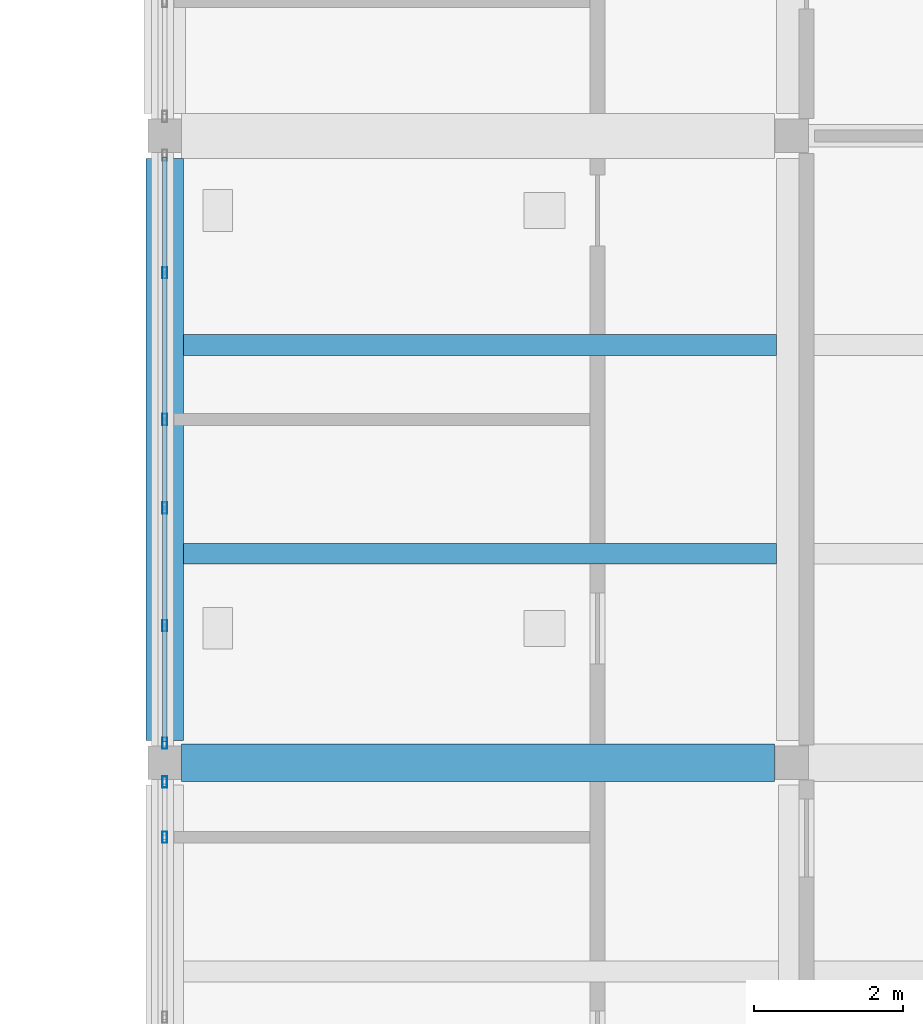
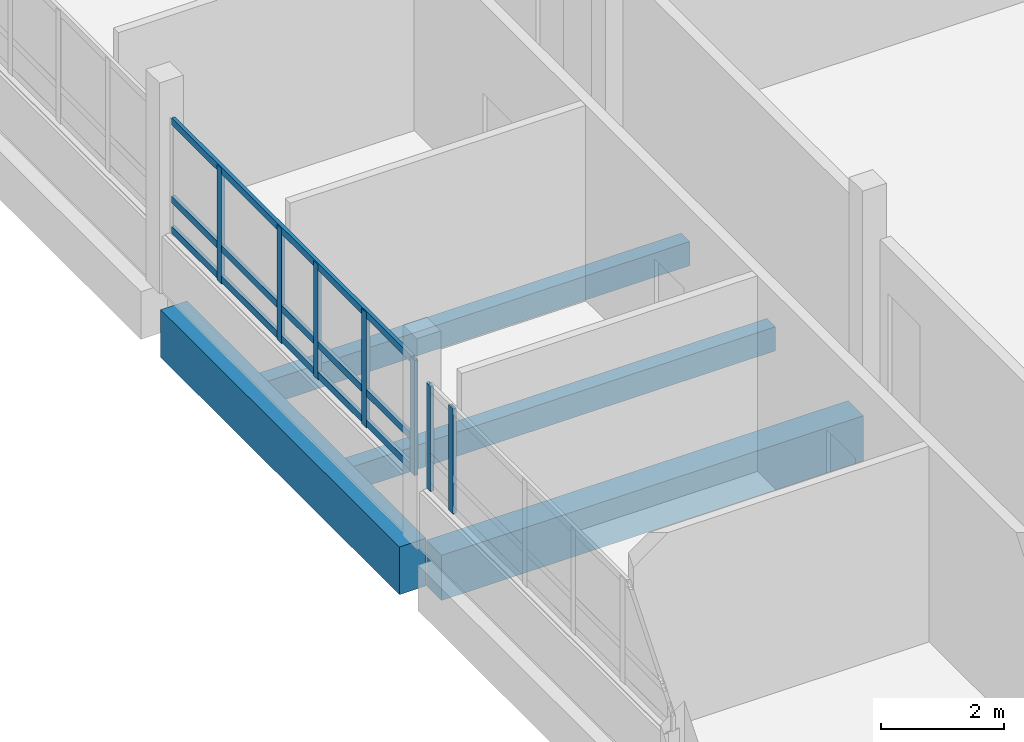
# One storey, part 15 of 62: 10 members, 4 beams, 2 elements without a shape of their own.
"""IFC4 building model written with IfcOpenShell, lengths in metres."""

from ifc_helpers import new_model, si_unit, direction, frame, origin, origin_2d, place, context, subcontext, project, spatial, rectangle, hollow_rectangle, extrude, material, layer, layer_set, material_profile, profile_set, type_object, element, aggregate, save


model = new_model("IFC4")

# Units and contexts
model_context = context("Model", 3, precision=1e-05, world=origin(), true_north=direction((0.0, 1.0)))
body_context = subcontext(model_context, "Body", "Model", "MODEL_VIEW")
ifc_project = project(units=[si_unit("LENGTHUNIT", "METRE"), si_unit("AREAUNIT", "SQUARE_METRE"), si_unit("VOLUMEUNIT", "CUBIC_METRE"), si_unit("PLANEANGLEUNIT", "RADIAN"), si_unit("MASSUNIT", "GRAM", prefix="KILO")], contexts=[model_context])

# Site, building, storey
site_placement = place(None, origin())
site = spatial("IfcSite", under=ifc_project, at=site_placement, CompositionType="ELEMENT")
building_placement = place(site_placement, origin())
building = spatial("IfcBuilding", under=site, at=building_placement, Name="Vireocrest Preparatory School", CompositionType="ELEMENT")
storey_placement = place(building_placement, frame((0.0, 0.0, 17.39990234375)))
storey = spatial("IfcBuildingStorey", under=building, at=storey_placement, Name="L04", CompositionType="ELEMENT", Elevation=17.39990234375)

# Curtain wall, members
ifc_material_1 = material(Name="Thermally broken aluminium EN AW-6063-T6", Category="aluminium")
ifc_layer = layer(ifc_material_1, 0.179931640625)
ifc_layer_set = layer_set([ifc_layer], Name="Thermally broken aluminium EN AW-6063-T6")
curtain_wall_type = type_object("IfcCurtainWallType", Name="Court Banded Curtain Wall 8400x3000", PredefinedType="USERDEFINED", material=ifc_layer_set)
curtain_wall_1_placement = place(storey_placement, origin())
curtain_wall_1 = element("IfcCurtainWall", 1, at=curtain_wall_1_placement, inside=storey, type_object=curtain_wall_type, Name="Curtain Wall CW02 CW_L04_CW02_0924_0524_186", ObjectType="CURTAIN WALL", PredefinedType="USERDEFINED")
ifc_material_profile_1 = material_profile(ifc_material_1, hollow_rectangle(XDim=0.06494140625, YDim=0.14990234375, WallThickness=0.00390625, at=origin_2d()), Name="ALU 65x150x4")
ifc_profile_set_1 = profile_set([ifc_material_profile_1], Name="Thermally broken aluminium EN AW-6063-T6")
member_type_1 = type_object("IfcMemberType", Name="CW Mullion 65x150x4", PredefinedType="MULLION", material=ifc_profile_set_1)
member_1_placement = place(storey_placement, frame((92.39990234375, 59.60009765625, 1.150146484375), z_axis=(0.0, 0.0, 1.0), x_axis=(1.0, 0.0, 0.0)))
member_1 = element("IfcMember", 2, at=member_1_placement, type_object=member_type_1, Name="CW Mullion ML1 CW_L04_CW02_0924_0524_186-5", PredefinedType="MULLION", context=body_context, shape_type="SweptSolid", body=[
    extrude(hollow_rectangle(XDim=0.06494140625, YDim=0.14990234375, WallThickness=0.00390625, at=origin_2d()), origin(), (0.0, 0.0, 1.0), 2.094970703125),
])
member_2_placement = place(storey_placement, frame((92.39990234375, 60.340087890625, 1.150146484375), z_axis=(0.0, 0.0, 1.0), x_axis=(1.0, 0.0, 0.0)))
member_2 = element("IfcMember", 3, at=member_2_placement, type_object=member_type_1, Name="CW Mullion ML1 CW_L04_CW02_0924_0524_186-6", PredefinedType="MULLION", context=body_context, shape_type="SweptSolid", body=[
    extrude(hollow_rectangle(XDim=0.06494140625, YDim=0.14990234375, WallThickness=0.00390625, at=origin_2d()), origin(), (0.0, 0.0, 1.0), 2.094970703125),
])
aggregate(curtain_wall_1, [member_1, member_2])

curtain_wall_2_placement = place(storey_placement, origin())
curtain_wall_2 = element("IfcCurtainWall", 4, at=curtain_wall_2_placement, inside=storey, type_object=curtain_wall_type, Name="Curtain Wall CW02 CW_L04_CW02_0924_0608_186", ObjectType="CURTAIN WALL", PredefinedType="USERDEFINED")
member_3_placement = place(storey_placement, frame((92.39990234375, 60.860107421875, 1.150146484375), z_axis=(0.0, 0.0, 1.0), x_axis=(1.0, 0.0, 0.0)))
member_3 = element("IfcMember", 5, at=member_3_placement, type_object=member_type_1, Name="CW Mullion ML1 CW_L04_CW02_0924_0608_186-1", PredefinedType="MULLION", context=body_context, shape_type="SweptSolid", body=[
    extrude(hollow_rectangle(XDim=0.06494140625, YDim=0.14990234375, WallThickness=0.00390625, at=origin_2d()), origin(), (0.0, 0.0, 1.0), 2.294921875),
])
member_4_placement = place(storey_placement, frame((92.39990234375, 62.43603515625, 1.150146484375), z_axis=(0.0, 0.0, 1.0), x_axis=(1.0, 0.0, 0.0)))
member_4 = element("IfcMember", 6, at=member_4_placement, type_object=member_type_1, Name="CW Mullion ML1 CW_L04_CW02_0924_0608_186-2", PredefinedType="MULLION", context=body_context, shape_type="SweptSolid", body=[
    extrude(hollow_rectangle(XDim=0.06494140625, YDim=0.14990234375, WallThickness=0.00390625, at=origin_2d()), origin(), (0.0, 0.0, 1.0), 2.294921875),
])
member_5_placement = place(storey_placement, frame((92.39990234375, 64.011962890625, 1.150146484375), z_axis=(0.0, 0.0, 1.0), x_axis=(1.0, 0.0, 0.0)))
member_5 = element("IfcMember", 7, at=member_5_placement, type_object=member_type_1, Name="CW Mullion ML1 CW_L04_CW02_0924_0608_186-3", PredefinedType="MULLION", context=body_context, shape_type="SweptSolid", body=[
    extrude(hollow_rectangle(XDim=0.06494140625, YDim=0.14990234375, WallThickness=0.00390625, at=origin_2d()), origin(), (0.0, 0.0, 1.0), 2.294921875),
])
member_6_placement = place(storey_placement, frame((92.39990234375, 65.199951171875, 1.150146484375), z_axis=(0.0, 0.0, 1.0), x_axis=(1.0, 0.0, 0.0)))
member_6 = element("IfcMember", 8, at=member_6_placement, type_object=member_type_1, Name="CW Mullion ML1 CW_L04_CW02_0924_0608_186-4", PredefinedType="MULLION", context=body_context, shape_type="SweptSolid", body=[
    extrude(hollow_rectangle(XDim=0.06494140625, YDim=0.14990234375, WallThickness=0.00390625, at=origin_2d()), origin(), (0.0, 0.0, 1.0), 2.294921875),
])
member_7_placement = place(storey_placement, frame((92.39990234375, 67.1640625, 1.150146484375), z_axis=(0.0, 0.0, 1.0), x_axis=(1.0, 0.0, 0.0)))
member_7 = element("IfcMember", 9, at=member_7_placement, type_object=member_type_1, Name="CW Mullion ML1 CW_L04_CW02_0924_0608_186-5", PredefinedType="MULLION", context=body_context, shape_type="SweptSolid", body=[
    extrude(hollow_rectangle(XDim=0.06494140625, YDim=0.14990234375, WallThickness=0.00390625, at=origin_2d()), origin(), (0.0, 0.0, 1.0), 2.294921875),
])
ifc_material_profile_2 = material_profile(ifc_material_1, hollow_rectangle(XDim=0.06494140625, YDim=0.139892578125, WallThickness=0.00390625, at=origin_2d()), Name="ALU 65x140x4")
ifc_profile_set_2 = profile_set([ifc_material_profile_2], Name="Thermally broken aluminium EN AW-6063-T6")
member_type_2 = type_object("IfcMemberType", Name="CW Transom 65x140x4", PredefinedType="USERDEFINED", material=ifc_profile_set_2)
member_8_placement = place(storey_placement, frame((92.39990234375, 60.885009765625, 1.2451171875), z_axis=(0.0, 1.0, 0.0), x_axis=(-1.0, 0.0, 0.0)))
member_8 = element("IfcMember", 10, at=member_8_placement, type_object=member_type_2, Name="CW Transom TR1 CW_L04_CW02_0924_0608_186-1", ObjectType="TRANSOM", PredefinedType="USERDEFINED", context=body_context, shape_type="SweptSolid", body=[
    extrude(hollow_rectangle(XDim=0.06494140625, YDim=0.139892578125, WallThickness=0.00390625, at=origin_2d()), origin(), (0.0, 0.0, 1.0), 7.830078125),
])
member_9_placement = place(storey_placement, frame((92.39990234375, 60.885009765625, 1.85009765625), z_axis=(0.0, 1.0, 0.0), x_axis=(-1.0, 0.0, 0.0)))
member_9 = element("IfcMember", 11, at=member_9_placement, type_object=member_type_2, Name="CW Transom TR1 CW_L04_CW02_0924_0608_186-2", ObjectType="TRANSOM", PredefinedType="USERDEFINED", context=body_context, shape_type="SweptSolid", body=[
    extrude(hollow_rectangle(XDim=0.06494140625, YDim=0.139892578125, WallThickness=0.00390625, at=origin_2d()), origin(), (0.0, 0.0, 1.0), 7.830078125),
])
member_10_placement = place(storey_placement, frame((92.39990234375, 60.885009765625, 3.405029296875), z_axis=(0.0, 1.0, 0.0), x_axis=(-1.0, 0.0, 0.0)))
member_10 = element("IfcMember", 12, at=member_10_placement, type_object=member_type_2, Name="CW Transom TR1 CW_L04_CW02_0924_0608_186-3", ObjectType="TRANSOM", PredefinedType="USERDEFINED", context=body_context, shape_type="SweptSolid", body=[
    extrude(hollow_rectangle(XDim=0.06494140625, YDim=0.139892578125, WallThickness=0.00390625, at=origin_2d()), origin(), (0.0, 0.0, 1.0), 7.830078125),
])
aggregate(curtain_wall_2, [member_3, member_4, member_5, member_6, member_7, member_8, member_9, member_10])

# Beams
ifc_material_2 = material(Name="Concrete 40 MPa", Category="concrete")
ifc_material_profile_3 = material_profile(ifc_material_2, rectangle(XDim=0.5, YDim=0.949951171875, at=origin_2d()), Name="RC 500x950")
ifc_profile_set_3 = profile_set([ifc_material_profile_3], Name="Concrete 40 MPa")
beam_type_1 = type_object("IfcBeamType", Name="RC Basement Ceiling Girder 500x950", PredefinedType="BEAM", material=ifc_profile_set_3)
beam_1_placement = place(storey_placement, frame((92.39990234375, 60.89990234375, -0.73486328125), z_axis=(0.0, 1.0, 0.0), x_axis=(-1.0, 0.0, 0.0)))
element("IfcBeam", 13, at=beam_1_placement, inside=storey, type_object=beam_type_1, Name="Primary Girder B16 L04-1395", PredefinedType="BEAM", context=body_context, shape_type="SweptSolid", body=[
    extrude(rectangle(XDim=0.5, YDim=0.949951171875, at=origin_2d()), origin(), (0.0, 0.0, 1.0), 7.800048828125),
])
ifc_material_profile_4 = material_profile(ifc_material_2, rectangle(XDim=0.5, YDim=0.89990234375, at=origin_2d()), Name="RC 500x900")
ifc_profile_set_4 = profile_set([ifc_material_profile_4], Name="Concrete 40 MPa")
beam_type_2 = type_object("IfcBeamType", Name="RC Podium Girder 500x900", PredefinedType="BEAM", material=ifc_profile_set_4)
beam_2_placement = place(storey_placement, frame((92.625, 60.60009765625, -0.7099609375), z_axis=(1.0, 0.0, 0.0), x_axis=(0.0, 1.0, 0.0)))
element("IfcBeam", 14, at=beam_2_placement, inside=storey, type_object=beam_type_2, Name="Primary Girder B15 L04-1309", PredefinedType="BEAM", context=body_context, shape_type="SweptSolid", body=[
    extrude(rectangle(XDim=0.5, YDim=0.89990234375, at=origin_2d()), origin(), (0.0, 0.0, 1.0), 7.949951171875),
])
ifc_material_profile_5 = material_profile(ifc_material_2, rectangle(XDim=0.280029296875, YDim=0.47998046875, at=origin_2d()), Name="RC 280x480")
ifc_profile_set_5 = profile_set([ifc_material_profile_5], Name="Concrete 40 MPa")
beam_type_3 = type_object("IfcBeamType", Name="RC Secondary Lab Joist 280x480", PredefinedType="JOIST", material=ifc_profile_set_5)
for number, where, z_axis, x_axis, name in (
    (15, (92.64990234375, 63.39990234375, -0.5), (1.0, 0.0, 0.0), (0.0, 1.0, 0.0), "Secondary Joist J02 L04-1487"),
    (16, (92.64990234375, 66.199951171875, -0.5), (1.0, 0.0, 0.0), (0.0, 1.0, 0.0), "Secondary Joist J02 L04-1488"),
):
    element("IfcBeam", number, at=place(storey_placement, frame(where, z_axis=z_axis, x_axis=x_axis)), inside=storey, type_object=beam_type_3, Name=name, PredefinedType="JOIST", context=body_context, shape_type="SweptSolid", body=[
        extrude(rectangle(XDim=0.280029296875, YDim=0.47998046875, at=origin_2d()), origin(), (0.0, 0.0, 1.0), 7.9501953125),
    ])

save(model, "model.ifc")
